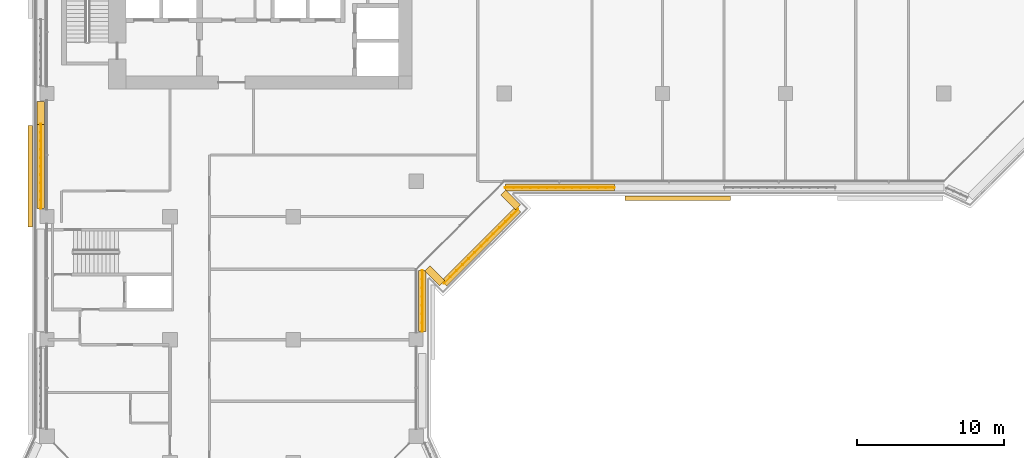
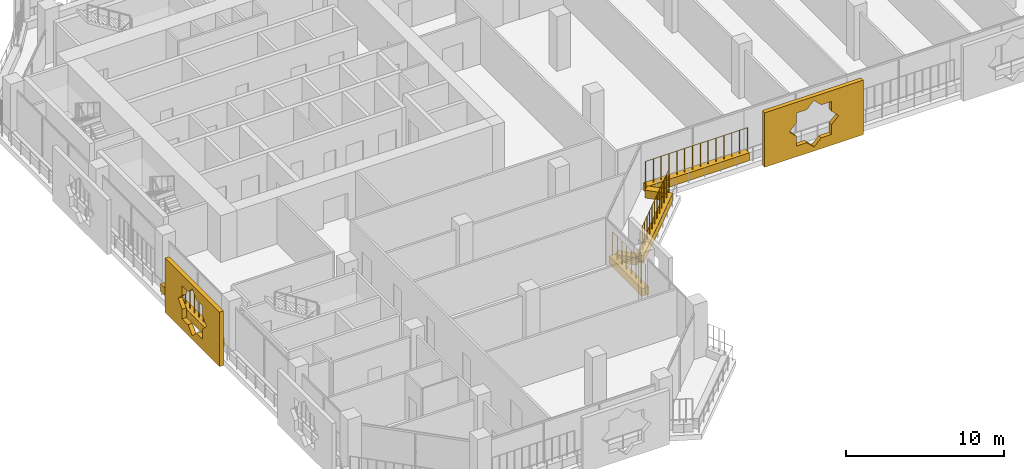
# One storey, part 16 of 21: 9 coverings, 4 railings.
"""IFC4 building model written with IfcOpenShell, lengths in metres."""

from ifc_helpers import new_model, si_unit, direction, frame, origin, origin_2d, place, context, subcontext, project, spatial, polyline, rectangle, circle, outline, extrude, material, material_profile, profile_set, type_object, element, save


model = new_model("IFC4")

# Units and contexts
model_context = context("Model", 3, precision=1e-05, world=origin(), true_north=direction((0.0, 1.0)))
body_context = subcontext(model_context, "Body", "Model", "MODEL_VIEW")
ifc_project = project(units=[si_unit("LENGTHUNIT", "METRE"), si_unit("AREAUNIT", "SQUARE_METRE"), si_unit("VOLUMEUNIT", "CUBIC_METRE"), si_unit("PLANEANGLEUNIT", "RADIAN"), si_unit("MASSUNIT", "GRAM", prefix="KILO")], contexts=[model_context])

# Site, building, storey
site_placement = place(None, origin())
site = spatial("IfcSite", under=ifc_project, at=site_placement, CompositionType="ELEMENT")
building_placement = place(site_placement, origin())
building = spatial("IfcBuilding", under=site, at=building_placement, Name="Kawkab Arch Medical Tower", CompositionType="ELEMENT")
storey_placement = place(building_placement, frame((0.0, 0.0, 200.39990234375)))
storey = spatial("IfcBuildingStorey", under=building, at=storey_placement, Name="L46", CompositionType="ELEMENT", Elevation=200.39990234375)

# Coverings
ifc_material_1 = material(Name="Bronze anodised aluminium mashrabiya panel, eight-point star pattern", Category="aluminium")
ifc_material_profile_1 = material_profile(ifc_material_1, outline(polyline([(-3.449951171875, -2.10009765625), (3.449951171875, -2.10009765625), (3.449951171875, 2.10009765625), (-3.449951171875, 2.10009765625), (-3.449951171875, -2.10009765625)]), holes=[polyline([(1.800048828125, 0.0), (1.272705078125, 0.527099609375), (1.272705078125, 1.272705078125), (0.527099609375, 1.272705078125), (0.0, 1.800048828125), (-0.527099609375, 1.272705078125), (-1.272705078125, 1.272705078125), (-1.272705078125, 0.527099609375), (-1.800048828125, 0.0), (-1.272705078125, -0.527099609375), (-1.272705078125, -1.272705078125), (-0.527099609375, -1.272705078125), (0.0, -1.800048828125), (0.527099609375, -1.272705078125), (1.272705078125, -1.272705078125), (1.272705078125, -0.527099609375), (1.800048828125, 0.0)])]), Name="Mashrabiya panel 6900x4200")
ifc_profile_set_1 = profile_set([ifc_material_profile_1], Name="Bronze anodised aluminium mashrabiya panel, eight-point star pattern")
covering_type_1 = type_object("IfcCoveringType", Name="Mashrabiya panel 6900 x 4200", PredefinedType="USERDEFINED", material=ifc_profile_set_1)
covering_1_placement = place(storey_placement, frame((-1.0, -30.850341796875, 1.7001953125), z_axis=(-1.0, 0.0, 0.0), x_axis=(0.0, -1.0, 0.0)))
element("IfcCovering", 1, at=covering_1_placement, inside=storey, type_object=covering_type_1, Name="Mashrabiya panel L46.LOG-01-01.3", ObjectType="SCREEN", PredefinedType="USERDEFINED", context=body_context, shape_type="SweptSolid", body=[
    extrude(outline(polyline([(-3.449951171875, -2.10009765625), (3.449951171875, -2.10009765625), (3.449951171875, 2.10009765625), (-3.449951171875, 2.10009765625), (-3.449951171875, -2.10009765625)]), holes=[polyline([(1.800048828125, 0.0), (1.272705078125, 0.527099609375), (1.272705078125, 1.272705078125), (0.527099609375, 1.272705078125), (0.0, 1.800048828125), (-0.527099609375, 1.272705078125), (-1.272705078125, 1.272705078125), (-1.272705078125, 0.527099609375), (-1.800048828125, 0.0), (-1.272705078125, -0.527099609375), (-1.272705078125, -1.272705078125), (-0.527099609375, -1.272705078125), (0.0, -1.800048828125), (0.527099609375, -1.272705078125), (1.272705078125, -1.272705078125), (1.272705078125, -0.527099609375), (1.800048828125, 0.0)])]), origin(), (0.0, 0.0, 1.0), 0.300048828125),
])
ifc_material_2 = material(Name="Bronze anodised aluminium mashrabiya panel, eight-point star pattern", Category="aluminium")
ifc_material_profile_2 = material_profile(ifc_material_2, outline(polyline([(-3.60009765625, -2.10009765625), (3.60009765625, -2.10009765625), (3.60009765625, 2.10009765625), (-3.60009765625, 2.10009765625), (-3.60009765625, -2.10009765625)]), holes=[polyline([(1.800048828125, 0.0), (1.272705078125, 0.527099609375), (1.272705078125, 1.272705078125), (0.527099609375, 1.272705078125), (0.0, 1.800048828125), (-0.527099609375, 1.272705078125), (-1.272705078125, 1.272705078125), (-1.272705078125, 0.527099609375), (-1.800048828125, 0.0), (-1.272705078125, -0.527099609375), (-1.272705078125, -1.272705078125), (-0.527099609375, -1.272705078125), (0.0, -1.800048828125), (0.527099609375, -1.272705078125), (1.272705078125, -1.272705078125), (1.272705078125, -0.527099609375), (1.800048828125, 0.0)])]), Name="Mashrabiya panel 7200x4200")
ifc_profile_set_2 = profile_set([ifc_material_profile_2], Name="Bronze anodised aluminium mashrabiya panel, eight-point star pattern")
covering_type_2 = type_object("IfcCoveringType", Name="Mashrabiya panel 7200 x 4200", PredefinedType="USERDEFINED", material=ifc_profile_set_2)
covering_2_placement = place(storey_placement, frame((43.06494140625, -32.199951171875, 1.7001953125), z_axis=(0.0, -1.0, 0.0), x_axis=(1.0, 0.0, 0.0)))
element("IfcCovering", 2, at=covering_2_placement, inside=storey, type_object=covering_type_2, Name="Mashrabiya panel L46.LOG-01-01.11", ObjectType="SCREEN", PredefinedType="USERDEFINED", context=body_context, shape_type="SweptSolid", body=[
    extrude(outline(polyline([(-3.60009765625, -2.10009765625), (3.60009765625, -2.10009765625), (3.60009765625, 2.10009765625), (-3.60009765625, 2.10009765625), (-3.60009765625, -2.10009765625)]), holes=[polyline([(1.800048828125, 0.0), (1.272705078125, 0.527099609375), (1.272705078125, 1.272705078125), (0.527099609375, 1.272705078125), (0.0, 1.800048828125), (-0.527099609375, 1.272705078125), (-1.272705078125, 1.272705078125), (-1.272705078125, 0.527099609375), (-1.800048828125, 0.0), (-1.272705078125, -0.527099609375), (-1.272705078125, -1.272705078125), (-0.527099609375, -1.272705078125), (0.0, -1.800048828125), (0.527099609375, -1.272705078125), (1.272705078125, -1.272705078125), (1.272705078125, -0.527099609375), (1.800048828125, 0.0)])]), origin(), (0.0, 0.0, 1.0), 0.300048828125),
])
ifc_material_3 = material(Name="Planting soil in a precast trough", Category="concrete")
ifc_material_profile_3 = material_profile(ifc_material_3, rectangle(XDim=0.5, YDim=0.60009765625, at=origin_2d()), Name="Trough 500x600")
ifc_profile_set_3 = profile_set([ifc_material_profile_3], Name="Planting soil in a precast trough")
covering_type_3 = type_object("IfcCoveringType", Name="Planter trough 500 x 600", PredefinedType="USERDEFINED", material=ifc_profile_set_3)
covering_3_placement = place(storey_placement, frame((-0.419921875, -33.044921875, 0.300048828125), z_axis=(0.0, 1.0, 0.0), x_axis=(-1.0, 0.0, 0.0)))
element("IfcCovering", 3, at=covering_3_placement, inside=storey, type_object=covering_type_3, Name="Planter L46.LOG-01-01.9", ObjectType="PLANTER", PredefinedType="USERDEFINED", context=body_context, shape_type="SweptSolid", body=[
    extrude(rectangle(XDim=0.5, YDim=0.60009765625, at=origin_2d()), origin(), (0.0, 0.0, 1.0), 5.744873046875),
])
covering_4_placement = place(storey_placement, frame((-0.419921875, -27.300048828125, 0.300048828125), z_axis=(0.0, 1.0, 0.0), x_axis=(-1.0, 0.0, 0.0)))
element("IfcCovering", 4, at=covering_4_placement, inside=storey, type_object=covering_type_3, Name="Planter L46.LOG-01-01.10", ObjectType="PLANTER", PredefinedType="USERDEFINED", context=body_context, shape_type="SweptSolid", body=[
    extrude(rectangle(XDim=0.5, YDim=0.60009765625, at=origin_2d()), origin(), (0.0, 0.0, 1.0), 1.545166015625),
])
covering_5_placement = place(storey_placement, frame((38.719970703125, -31.6201171875, 0.300048828125), z_axis=(-1.0, 0.0, 0.0), x_axis=(0.0, -1.0, 0.0)))
element("IfcCovering", 5, at=covering_5_placement, inside=storey, type_object=covering_type_3, Name="Planter L46.LOG-01-01.37", ObjectType="PLANTER", PredefinedType="USERDEFINED", context=body_context, shape_type="SweptSolid", body=[
    extrude(rectangle(XDim=0.5, YDim=0.60009765625, at=origin_2d()), origin(), (0.0, 0.0, 1.0), 7.43505859375),
])
covering_6_placement = place(storey_placement, frame((31.14306640625, -31.962890625, 0.300048828125), z_axis=(0.707020805532, -0.707192746389, 0.0), x_axis=(0.707192746389, 0.707020805532, 0.0)))
element("IfcCovering", 6, at=covering_6_placement, inside=storey, type_object=covering_type_3, Name="Planter L46.LOG-01-01.38", ObjectType="PLANTER", PredefinedType="USERDEFINED", context=body_context, shape_type="SweptSolid", body=[
    extrude(rectangle(XDim=0.5, YDim=0.60009765625, at=origin_2d()), origin(), (0.0, 0.0, 1.0), 1.419921875),
])
covering_7_placement = place(storey_placement, frame((32.14697265625, -33.10888671875, 0.300048828125), z_axis=(-0.707106781187, -0.707106781187, 0.0), x_axis=(0.707106781187, -0.707106781187, 0.0)))
element("IfcCovering", 7, at=covering_7_placement, inside=storey, type_object=covering_type_3, Name="Planter L46.LOG-01-01.39", ObjectType="PLANTER", PredefinedType="USERDEFINED", context=body_context, shape_type="SweptSolid", body=[
    extrude(rectangle(XDim=0.5, YDim=0.60009765625, at=origin_2d()), origin(), (0.0, 0.0, 1.0), 7.125),
])
covering_8_placement = place(storey_placement, frame((26.967041015625, -38.14697265625, 0.300048828125), z_axis=(-0.707192746389, 0.707020805532, 0.0), x_axis=(-0.707020805532, -0.707192746389, 0.0)))
element("IfcCovering", 8, at=covering_8_placement, inside=storey, type_object=covering_type_3, Name="Planter L46.LOG-01-01.40", ObjectType="PLANTER", PredefinedType="USERDEFINED", context=body_context, shape_type="SweptSolid", body=[
    extrude(rectangle(XDim=0.5, YDim=0.60009765625, at=origin_2d()), origin(), (0.0, 0.0, 1.0), 1.419921875),
])
covering_9_placement = place(storey_placement, frame((25.6201171875, -37.284912109375, 0.300048828125), z_axis=(0.0, -1.0, 0.0), x_axis=(1.0, 0.0, 0.0)))
element("IfcCovering", 9, at=covering_9_placement, inside=storey, type_object=covering_type_3, Name="Planter L46.LOG-01-01.41", ObjectType="PLANTER", PredefinedType="USERDEFINED", context=body_context, shape_type="SweptSolid", body=[
    extrude(rectangle(XDim=0.5, YDim=0.60009765625, at=origin_2d()), origin(), (0.0, 0.0, 1.0), 4.16015625),
])

# Railings
ifc_material_4 = material(Name="Bronze anodised aluminium trellis for climbing plants", Category="aluminium")
railing_type = type_object("IfcRailingType", Name="Planting trellis 2400", PredefinedType="USERDEFINED", material=ifc_material_4)
railing_1_placement = place(storey_placement, frame((-0.419921875, -33.044921875, 0.0)))
element("IfcRailing", 10, at=railing_1_placement, inside=storey, type_object=railing_type, Name="Planting trellis L46.LOG-01-01.9", ObjectType="TRELLIS", PredefinedType="USERDEFINED", context=body_context, shape_type="SweptSolid", body=[
    extrude(circle(Radius=0.01513671875, at=origin_2d()), frame((0.0, 0.0, 2.384765625), z_axis=(0.0, 1.0, 0.0), x_axis=(-1.0, 0.0, 0.0)), (0.0, 0.0, 1.0), 5.744873046875),
    extrude(circle(Radius=0.030029296875, at=origin_2d()), origin(), (0.0, 0.0, 1.0), 2.369873046875),
    extrude(circle(Radius=0.030029296875, at=origin_2d()), frame((0.0, 0.574462890625, 0.0)), (0.0, 0.0, 1.0), 2.369873046875),
    extrude(circle(Radius=0.030029296875, at=origin_2d()), frame((0.0, 1.14892578125, 0.0)), (0.0, 0.0, 1.0), 2.369873046875),
    extrude(circle(Radius=0.030029296875, at=origin_2d()), frame((0.0, 1.723388671875, 0.0)), (0.0, 0.0, 1.0), 2.369873046875),
    extrude(circle(Radius=0.030029296875, at=origin_2d()), frame((0.0, 2.2978515625, 0.0)), (0.0, 0.0, 1.0), 2.369873046875),
    extrude(circle(Radius=0.030029296875, at=origin_2d()), frame((0.0, 2.87255859375, 0.0)), (0.0, 0.0, 1.0), 2.369873046875),
    extrude(circle(Radius=0.030029296875, at=origin_2d()), frame((0.0, 3.447021484375, 0.0)), (0.0, 0.0, 1.0), 2.369873046875),
    extrude(circle(Radius=0.030029296875, at=origin_2d()), frame((0.0, 4.021484375, 0.0)), (0.0, 0.0, 1.0), 2.369873046875),
    extrude(circle(Radius=0.030029296875, at=origin_2d()), frame((0.0, 4.595947265625, 0.0)), (0.0, 0.0, 1.0), 2.369873046875),
    extrude(circle(Radius=0.030029296875, at=origin_2d()), frame((0.0, 5.17041015625, 0.0)), (0.0, 0.0, 1.0), 2.369873046875),
    extrude(circle(Radius=0.030029296875, at=origin_2d()), frame((0.0, 5.744873046875, 0.0)), (0.0, 0.0, 1.0), 2.369873046875),
])
railing_2_placement = place(storey_placement, frame((38.719970703125, -31.6201171875, 0.0)))
element("IfcRailing", 11, at=railing_2_placement, inside=storey, type_object=railing_type, Name="Planting trellis L46.LOG-01-01.37", ObjectType="TRELLIS", PredefinedType="USERDEFINED", context=body_context, shape_type="SweptSolid", body=[
    extrude(circle(Radius=0.01513671875, at=origin_2d()), frame((0.0, 0.0, 2.384765625), z_axis=(-1.0, 0.0, 0.0), x_axis=(0.0, -1.0, 0.0)), (0.0, 0.0, 1.0), 7.43505859375),
    extrude(circle(Radius=0.030029296875, at=origin_2d()), origin(), (0.0, 0.0, 1.0), 2.369873046875),
    extrude(circle(Radius=0.030029296875, at=origin_2d()), frame((-0.572021484375, 0.0, 0.0)), (0.0, 0.0, 1.0), 2.369873046875),
    extrude(circle(Radius=0.030029296875, at=origin_2d()), frame((-1.143798828125, 0.0, 0.0)), (0.0, 0.0, 1.0), 2.369873046875),
    extrude(circle(Radius=0.030029296875, at=origin_2d()), frame((-1.7158203125, 0.0, 0.0)), (0.0, 0.0, 1.0), 2.369873046875),
    extrude(circle(Radius=0.030029296875, at=origin_2d()), frame((-2.28759765625, 0.0, 0.0)), (0.0, 0.0, 1.0), 2.369873046875),
    extrude(circle(Radius=0.030029296875, at=origin_2d()), frame((-2.859619140625, 0.0, 0.0)), (0.0, 0.0, 1.0), 2.369873046875),
    extrude(circle(Radius=0.030029296875, at=origin_2d()), frame((-3.431640625, 0.0, 0.0)), (0.0, 0.0, 1.0), 2.369873046875),
    extrude(circle(Radius=0.030029296875, at=origin_2d()), frame((-4.00341796875, 0.0, 0.0)), (0.0, 0.0, 1.0), 2.369873046875),
    extrude(circle(Radius=0.030029296875, at=origin_2d()), frame((-4.575439453125, 0.0, 0.0)), (0.0, 0.0, 1.0), 2.369873046875),
    extrude(circle(Radius=0.030029296875, at=origin_2d()), frame((-5.1474609375, 0.0, 0.0)), (0.0, 0.0, 1.0), 2.369873046875),
    extrude(circle(Radius=0.030029296875, at=origin_2d()), frame((-5.71923828125, 0.0, 0.0)), (0.0, 0.0, 1.0), 2.369873046875),
    extrude(circle(Radius=0.030029296875, at=origin_2d()), frame((-6.291259765625, 0.0, 0.0)), (0.0, 0.0, 1.0), 2.369873046875),
    extrude(circle(Radius=0.030029296875, at=origin_2d()), frame((-6.863037109375, 0.0, 0.0)), (0.0, 0.0, 1.0), 2.369873046875),
    extrude(circle(Radius=0.030029296875, at=origin_2d()), frame((-7.43505859375, 0.0, 0.0)), (0.0, 0.0, 1.0), 2.369873046875),
])
railing_3_placement = place(storey_placement, frame((32.14697265625, -33.10888671875, 0.0)))
element("IfcRailing", 12, at=railing_3_placement, inside=storey, type_object=railing_type, Name="Planting trellis L46.LOG-01-01.39", ObjectType="TRELLIS", PredefinedType="USERDEFINED", context=body_context, shape_type="SweptSolid", body=[
    extrude(circle(Radius=0.01513671875, at=origin_2d()), frame((0.0, 0.0, 2.384765625), z_axis=(-0.707106781187, -0.707106781187, 0.0), x_axis=(0.707106781187, -0.707106781187, 0.0)), (0.0, 0.0, 1.0), 7.125),
    extrude(circle(Radius=0.030029296875, at=origin_2d()), origin(), (0.0, 0.0, 1.0), 2.369873046875),
    extrude(circle(Radius=0.030029296875, at=origin_2d()), frame((-0.419921875, -0.419921875, 0.0)), (0.0, 0.0, 1.0), 2.369873046875),
    extrude(circle(Radius=0.030029296875, at=origin_2d()), frame((-0.839599609375, -0.839599609375, 0.0)), (0.0, 0.0, 1.0), 2.369873046875),
    extrude(circle(Radius=0.030029296875, at=origin_2d()), frame((-1.259521484375, -1.259521484375, 0.0)), (0.0, 0.0, 1.0), 2.369873046875),
    extrude(circle(Radius=0.030029296875, at=origin_2d()), frame((-1.679443359375, -1.679443359375, 0.0)), (0.0, 0.0, 1.0), 2.369873046875),
    extrude(circle(Radius=0.030029296875, at=origin_2d()), frame((-2.09912109375, -2.09912109375, 0.0)), (0.0, 0.0, 1.0), 2.369873046875),
    extrude(circle(Radius=0.030029296875, at=origin_2d()), frame((-2.51904296875, -2.51904296875, 0.0)), (0.0, 0.0, 1.0), 2.369873046875),
    extrude(circle(Radius=0.030029296875, at=origin_2d()), frame((-2.93896484375, -2.93896484375, 0.0)), (0.0, 0.0, 1.0), 2.369873046875),
    extrude(circle(Radius=0.030029296875, at=origin_2d()), frame((-3.358642578125, -3.358642578125, 0.0)), (0.0, 0.0, 1.0), 2.369873046875),
    extrude(circle(Radius=0.030029296875, at=origin_2d()), frame((-3.778564453125, -3.778564453125, 0.0)), (0.0, 0.0, 1.0), 2.369873046875),
    extrude(circle(Radius=0.030029296875, at=origin_2d()), frame((-4.198486328125, -4.198486328125, 0.0)), (0.0, 0.0, 1.0), 2.369873046875),
    extrude(circle(Radius=0.030029296875, at=origin_2d()), frame((-4.6181640625, -4.6181640625, 0.0)), (0.0, 0.0, 1.0), 2.369873046875),
    extrude(circle(Radius=0.030029296875, at=origin_2d()), frame((-5.0380859375, -5.0380859375, 0.0)), (0.0, 0.0, 1.0), 2.369873046875),
])
railing_4_placement = place(storey_placement, frame((25.6201171875, -37.284912109375, 0.0)))
element("IfcRailing", 13, at=railing_4_placement, inside=storey, type_object=railing_type, Name="Planting trellis L46.LOG-01-01.41", ObjectType="TRELLIS", PredefinedType="USERDEFINED", context=body_context, shape_type="SweptSolid", body=[
    extrude(circle(Radius=0.01513671875, at=origin_2d()), frame((0.0, 0.0, 2.384765625), z_axis=(0.0, -1.0, 0.0), x_axis=(1.0, 0.0, 0.0)), (0.0, 0.0, 1.0), 4.16015625),
    extrude(circle(Radius=0.030029296875, at=origin_2d()), origin(), (0.0, 0.0, 1.0), 2.369873046875),
    extrude(circle(Radius=0.030029296875, at=origin_2d()), frame((0.0, -0.59423828125, 0.0)), (0.0, 0.0, 1.0), 2.369873046875),
    extrude(circle(Radius=0.030029296875, at=origin_2d()), frame((0.0, -1.188720703125, 0.0)), (0.0, 0.0, 1.0), 2.369873046875),
    extrude(circle(Radius=0.030029296875, at=origin_2d()), frame((0.0, -1.782958984375, 0.0)), (0.0, 0.0, 1.0), 2.369873046875),
    extrude(circle(Radius=0.030029296875, at=origin_2d()), frame((0.0, -2.377197265625, 0.0)), (0.0, 0.0, 1.0), 2.369873046875),
    extrude(circle(Radius=0.030029296875, at=origin_2d()), frame((0.0, -2.971435546875, 0.0)), (0.0, 0.0, 1.0), 2.369873046875),
    extrude(circle(Radius=0.030029296875, at=origin_2d()), frame((0.0, -3.56591796875, 0.0)), (0.0, 0.0, 1.0), 2.369873046875),
    extrude(circle(Radius=0.030029296875, at=origin_2d()), frame((0.0, -4.16015625, 0.0)), (0.0, 0.0, 1.0), 2.369873046875),
])

save(model, "model.ifc")
